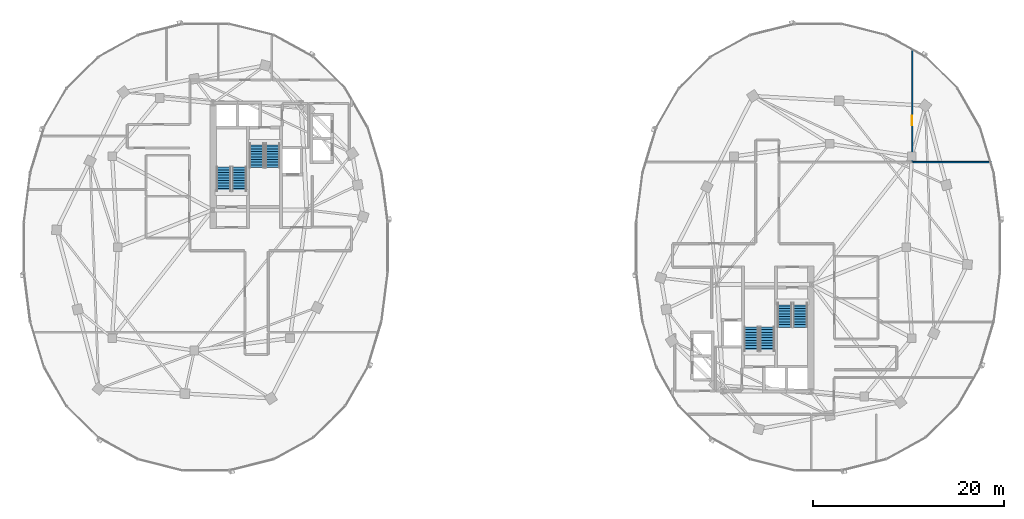
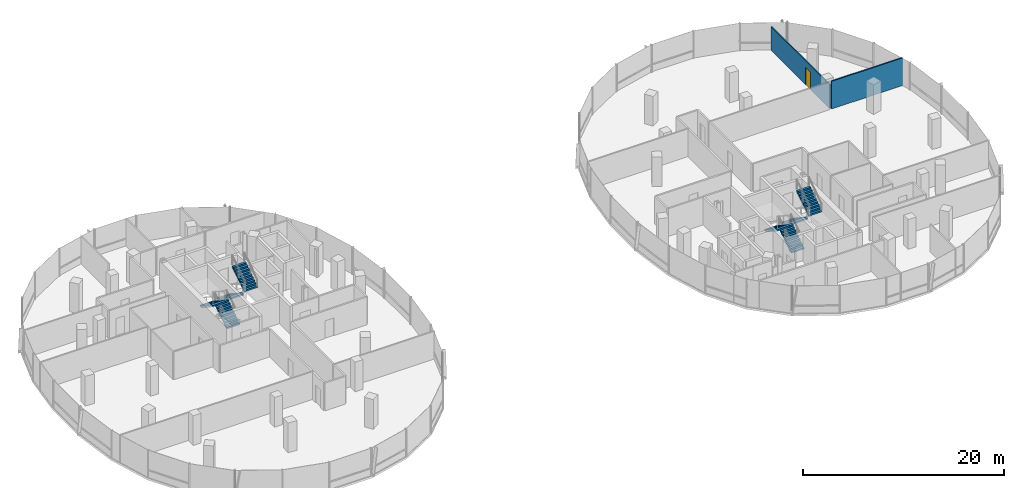
# One storey, part 15 of 22: 8 stair flights, 2 walls, 1 door, 1 opening, 4 elements without a shape of their own.
"""IFC4 building model written with IfcOpenShell, lengths in metres."""

from ifc_helpers import new_model, si_unit, direction, frame, frame_2d, origin, place, context, subcontext, project, spatial, polyline, rectangle, outline, extrude, material, layer, layer_set, type_object, element, fill, aggregate, save


model = new_model("IFC4")

# Units and contexts
model_context = context("Model", 3, precision=1e-05, world=origin(), true_north=direction((0.0, 1.0)))
body_context = subcontext(model_context, "Body", "Model", "MODEL_VIEW")
ifc_project = project(units=[si_unit("LENGTHUNIT", "METRE"), si_unit("AREAUNIT", "SQUARE_METRE"), si_unit("VOLUMEUNIT", "CUBIC_METRE"), si_unit("PLANEANGLEUNIT", "RADIAN"), si_unit("MASSUNIT", "GRAM", prefix="KILO"), si_unit("THERMODYNAMICTEMPERATUREUNIT", "KELVIN"), si_unit("POWERUNIT", "WATT")], contexts=[model_context])

# Site, building, storey
site_placement = place(None, origin())
site = spatial("IfcSite", under=ifc_project, at=site_placement, CompositionType="ELEMENT")
building_placement = place(site_placement, origin())
building = spatial("IfcBuilding", under=site, at=building_placement, Name="Cundina Bronze Exchange", CompositionType="ELEMENT")
storey_placement = place(building_placement, frame((0.0, 0.0, 165.60009765625)))
storey = spatial("IfcBuildingStorey", under=building, at=storey_placement, Name="L43", CompositionType="ELEMENT", Elevation=165.60009765625)

# Wall, opening, door
ifc_material_1 = material(Name="Gypsum Acoustic Partition EI60")
ifc_layer_1 = layer(ifc_material_1, 0.125, Name="Gypsum Acoustic Partition EI60")
ifc_layer_set_1 = layer_set([ifc_layer_1], Name="Gypsum Acoustic Partition EI60")
wall_type_1 = type_object("IfcWallType", Name="WL-OFF-125", PredefinedType="PARTITIONING", material=ifc_layer_set_1)
wall_1_placement = place(storey_placement, frame((41.830078125, 8.97998046875, 0.0), z_axis=(0.0, 0.0, 1.0), x_axis=(0.0, 1.0, 0.0)))
wall_1 = element("IfcWall", 1, at=wall_1_placement, inside=storey, type_object=wall_type_1, Name="L43 Interior Partition 081", PredefinedType="PARTITIONING", context=body_context, shape_type="SweptSolid", body=[
    extrude(rectangle(XDim=11.63818359375, YDim=0.125, at=frame_2d((5.819091796875, 0.0))), origin(), (0.0, 0.0, 1.0), 2.89697265625),
])
opening_placement = place(wall_1_placement, frame((3.759521484375, 0.0, 0.0)))
opening = element("IfcOpeningElement", 2, at=opening_placement, cuts=wall_1, Name="Opening DO-01", PredefinedType="OPENING", context=body_context, shape_type="SweptSolid", body=[
    extrude(rectangle(XDim=1.0, YDim=2.14990234375, at=frame_2d((0.5, 1.074951171875))), frame((0.0, 0.072509765625, 0.0), z_axis=(0.0, -1.0, 0.0), x_axis=(1.0, 0.0, 0.0)), (0.0, 0.0, 1.0), 0.14501953125),
])
ifc_material_2 = material(Name="Solid Andean Oak Timber Grade A", Category="wood")
door_type = type_object("IfcDoorType", Name="DR-OFF-1000", OperationType="NOTDEFINED", PredefinedType="DOOR", material=ifc_material_2)
door_placement = place(opening_placement, origin())
door = element("IfcDoor", 3, at=door_placement, inside=storey, type_object=door_type, Name="L43 Interior Door 081", OperationType="SINGLE_SWING_RIGHT", OverallHeight=2.14990234375, OverallWidth=1.0, PredefinedType="DOOR", context=body_context, shape_type="SweptSolid", body=[
    extrude(rectangle(XDim=1.0, YDim=2.14990234375, at=frame_2d((0.5, 1.074951171875))), frame((0.0, 0.02490234375, 0.0), z_axis=(0.0, -1.0, 0.0), x_axis=(1.0, 0.0, 0.0)), (0.0, 0.0, 1.0), 0.050048828125),
])
fill(opening, door)

# Wall
ifc_layer_2 = layer(ifc_material_1, 0.14990234375, Name="Gypsum Acoustic Partition EI60")
ifc_layer_set_2 = layer_set([ifc_layer_2], Name="Gypsum Acoustic Partition EI60")
wall_type_2 = type_object("IfcWallType", Name="WL-TEN-150", PredefinedType="PARTITIONING", material=ifc_layer_set_2)
wall_2_placement = place(storey_placement, frame((41.9150390625, 8.889892578125, 0.0), z_axis=(0.0, 0.0, 1.0), x_axis=(1.0, 0.0, 0.0)))
element("IfcWall", 4, at=wall_2_placement, inside=storey, type_object=wall_type_2, Name="L43 Interior Partition 059", PredefinedType="PARTITIONING", context=body_context, shape_type="SweptSolid", body=[
    extrude(rectangle(XDim=8.166748046875, YDim=0.14990234375, at=frame_2d((4.08349609375, 0.0))), origin(), (0.0, 0.0, 1.0), 3.35986328125),
])

# Stair, stair flights
ifc_material_3 = material(Name="Concrete C40/50", Category="concrete")
stair_type = type_object("IfcStairType", Name="STR-OFF-360", PredefinedType="HALF_TURN_STAIR", material=ifc_material_3)
stair_1_placement = place(storey_placement, origin())
stair_1 = element("IfcStair", 5, at=stair_1_placement, inside=storey, type_object=stair_type, Name="L43 Smokeproof Exit Stair W1", PredefinedType="HALF_TURN_STAIR")
stair_flight_type = type_object("IfcStairFlightType", Name="FLG-OFF-180", PredefinedType="STRAIGHT", material=ifc_material_3)
stair_flight_1_placement = place(storey_placement, frame((-28.489990234375, 5.85009765625, 0.0), z_axis=(0.0, 0.0, 1.0), x_axis=(0.0, 1.0, 0.0)))
stair_flight_1 = element("IfcStairFlight", 6, at=stair_flight_1_placement, type_object=stair_flight_type, Name="ST-W1 flight 1", NumberOfRisers=10, NumberOfTreads=9, PredefinedType="STRAIGHT", RiserHeight=0.18, TreadLength=0.28, context=body_context, shape_type="SweptSolid", body=[
    extrude(outline(polyline([(0.0, 0.0), (0.0, 0.179931640625), (0.280029296875, 0.179931640625), (0.280029296875, 0.360107421875), (0.56005859375, 0.360107421875), (0.56005859375, 0.5400390625), (0.840087890625, 0.5400390625), (0.840087890625, 0.719970703125), (1.1201171875, 0.719970703125), (1.1201171875, 0.89990234375), (1.39990234375, 0.89990234375), (1.39990234375, 1.080078125), (1.679931640625, 1.080078125), (1.679931640625, 1.260009765625), (1.9599609375, 1.260009765625), (1.9599609375, 1.43994140625), (2.239990234375, 1.43994140625), (2.239990234375, 1.6201171875), (2.52001953125, 1.6201171875), (2.52001953125, 1.800048828125), (2.52001953125, 1.44189453125), (0.277099609375, 0.0), (0.0, 0.0)])), frame((0.0, 0.75, 0.0), z_axis=(0.0, -1.0, 0.0), x_axis=(1.0, 0.0, 0.0)), (0.0, 0.0, 1.0), 1.5),
])
stair_flight_2_placement = place(storey_placement, frame((-30.14990234375, 8.3701171875, 1.7998046875), z_axis=(0.0, 0.0, 1.0), x_axis=(0.0, -1.0, 0.0)))
stair_flight_2 = element("IfcStairFlight", 7, at=stair_flight_2_placement, type_object=stair_flight_type, Name="ST-W1 flight 2", NumberOfRisers=10, NumberOfTreads=9, PredefinedType="STRAIGHT", RiserHeight=0.18, TreadLength=0.28, context=body_context, shape_type="SweptSolid", body=[
    extrude(outline(polyline([(0.0, 0.0), (0.0, 0.179931640625), (0.280029296875, 0.179931640625), (0.280029296875, 0.360107421875), (0.56005859375, 0.360107421875), (0.56005859375, 0.5400390625), (0.840087890625, 0.5400390625), (0.840087890625, 0.719970703125), (1.1201171875, 0.719970703125), (1.1201171875, 0.89990234375), (1.39990234375, 0.89990234375), (1.39990234375, 1.080078125), (1.679931640625, 1.080078125), (1.679931640625, 1.260009765625), (1.9599609375, 1.260009765625), (1.9599609375, 1.43994140625), (2.239990234375, 1.43994140625), (2.239990234375, 1.6201171875), (2.52001953125, 1.6201171875), (2.52001953125, 1.800048828125), (2.52001953125, 1.44189453125), (0.277099609375, 0.0), (0.0, 0.0)])), frame((0.0, 0.75, 0.0), z_axis=(0.0, -1.0, 0.0), x_axis=(1.0, 0.0, 0.0)), (0.0, 0.0, 1.0), 1.5),
])
aggregate(stair_1, [stair_flight_1, stair_flight_2])

stair_2_placement = place(storey_placement, origin())
stair_2 = element("IfcStair", 8, at=stair_2_placement, inside=storey, type_object=stair_type, Name="L43 Smokeproof Exit Stair W2", PredefinedType="HALF_TURN_STAIR")
stair_flight_3_placement = place(storey_placement, frame((-26.68994140625, 10.85009765625, 0.0), z_axis=(0.0, 0.0, 1.0), x_axis=(0.0, -1.0, 0.0)))
stair_flight_3 = element("IfcStairFlight", 9, at=stair_flight_3_placement, type_object=stair_flight_type, Name="ST-W2 flight 1", NumberOfRisers=10, NumberOfTreads=9, PredefinedType="STRAIGHT", RiserHeight=0.18, TreadLength=0.28, context=body_context, shape_type="SweptSolid", body=[
    extrude(outline(polyline([(0.0, 0.0), (0.0, 0.179931640625), (0.280029296875, 0.179931640625), (0.280029296875, 0.360107421875), (0.56005859375, 0.360107421875), (0.56005859375, 0.5400390625), (0.840087890625, 0.5400390625), (0.840087890625, 0.719970703125), (1.1201171875, 0.719970703125), (1.1201171875, 0.89990234375), (1.39990234375, 0.89990234375), (1.39990234375, 1.080078125), (1.679931640625, 1.080078125), (1.679931640625, 1.260009765625), (1.9599609375, 1.260009765625), (1.9599609375, 1.43994140625), (2.239990234375, 1.43994140625), (2.239990234375, 1.6201171875), (2.52001953125, 1.6201171875), (2.52001953125, 1.800048828125), (2.52001953125, 1.44189453125), (0.277099609375, 0.0), (0.0, 0.0)])), frame((0.0, 0.75, 0.0), z_axis=(0.0, -1.0, 0.0), x_axis=(1.0, 0.0, 0.0)), (0.0, 0.0, 1.0), 1.5),
])
stair_flight_4_placement = place(storey_placement, frame((-25.030029296875, 8.330078125, 1.7998046875), z_axis=(0.0, 0.0, 1.0), x_axis=(0.0, 1.0, 0.0)))
stair_flight_4 = element("IfcStairFlight", 10, at=stair_flight_4_placement, type_object=stair_flight_type, Name="ST-W2 flight 2", NumberOfRisers=10, NumberOfTreads=9, PredefinedType="STRAIGHT", RiserHeight=0.18, TreadLength=0.28, context=body_context, shape_type="SweptSolid", body=[
    extrude(outline(polyline([(0.0, 0.0), (0.0, 0.179931640625), (0.280029296875, 0.179931640625), (0.280029296875, 0.360107421875), (0.56005859375, 0.360107421875), (0.56005859375, 0.5400390625), (0.840087890625, 0.5400390625), (0.840087890625, 0.719970703125), (1.1201171875, 0.719970703125), (1.1201171875, 0.89990234375), (1.39990234375, 0.89990234375), (1.39990234375, 1.080078125), (1.679931640625, 1.080078125), (1.679931640625, 1.260009765625), (1.9599609375, 1.260009765625), (1.9599609375, 1.43994140625), (2.239990234375, 1.43994140625), (2.239990234375, 1.6201171875), (2.52001953125, 1.6201171875), (2.52001953125, 1.800048828125), (2.52001953125, 1.44189453125), (0.277099609375, 0.0), (0.0, 0.0)])), frame((0.0, 0.75, 0.0), z_axis=(0.0, -1.0, 0.0), x_axis=(1.0, 0.0, 0.0)), (0.0, 0.0, 1.0), 1.5),
])
aggregate(stair_2, [stair_flight_3, stair_flight_4])

stair_3_placement = place(storey_placement, origin())
stair_3 = element("IfcStair", 11, at=stair_3_placement, inside=storey, type_object=stair_type, Name="L43 Smokeproof Exit Stair E1", PredefinedType="HALF_TURN_STAIR")
stair_flight_5_placement = place(storey_placement, frame((28.489990234375, -5.85009765625, 0.0), z_axis=(0.0, 0.0, 1.0), x_axis=(0.0, -1.0, 0.0)))
stair_flight_5 = element("IfcStairFlight", 12, at=stair_flight_5_placement, type_object=stair_flight_type, Name="ST-E1 flight 1", NumberOfRisers=10, NumberOfTreads=9, PredefinedType="STRAIGHT", RiserHeight=0.18, TreadLength=0.28, context=body_context, shape_type="SweptSolid", body=[
    extrude(outline(polyline([(0.0, 0.0), (0.0, 0.179931640625), (0.280029296875, 0.179931640625), (0.280029296875, 0.360107421875), (0.56005859375, 0.360107421875), (0.56005859375, 0.5400390625), (0.840087890625, 0.5400390625), (0.840087890625, 0.719970703125), (1.1201171875, 0.719970703125), (1.1201171875, 0.89990234375), (1.39990234375, 0.89990234375), (1.39990234375, 1.080078125), (1.679931640625, 1.080078125), (1.679931640625, 1.260009765625), (1.9599609375, 1.260009765625), (1.9599609375, 1.43994140625), (2.239990234375, 1.43994140625), (2.239990234375, 1.6201171875), (2.52001953125, 1.6201171875), (2.52001953125, 1.800048828125), (2.52001953125, 1.44189453125), (0.277099609375, 0.0), (0.0, 0.0)])), frame((0.0, 0.75, 0.0), z_axis=(0.0, -1.0, 0.0), x_axis=(1.0, 0.0, 0.0)), (0.0, 0.0, 1.0), 1.5),
])
stair_flight_6_placement = place(storey_placement, frame((30.14990234375, -8.3701171875, 1.7998046875), z_axis=(0.0, 0.0, 1.0), x_axis=(0.0, 1.0, 0.0)))
stair_flight_6 = element("IfcStairFlight", 13, at=stair_flight_6_placement, type_object=stair_flight_type, Name="ST-E1 flight 2", NumberOfRisers=10, NumberOfTreads=9, PredefinedType="STRAIGHT", RiserHeight=0.18, TreadLength=0.28, context=body_context, shape_type="SweptSolid", body=[
    extrude(outline(polyline([(0.0, 0.0), (0.0, 0.179931640625), (0.280029296875, 0.179931640625), (0.280029296875, 0.360107421875), (0.56005859375, 0.360107421875), (0.56005859375, 0.5400390625), (0.840087890625, 0.5400390625), (0.840087890625, 0.719970703125), (1.1201171875, 0.719970703125), (1.1201171875, 0.89990234375), (1.39990234375, 0.89990234375), (1.39990234375, 1.080078125), (1.679931640625, 1.080078125), (1.679931640625, 1.260009765625), (1.9599609375, 1.260009765625), (1.9599609375, 1.43994140625), (2.239990234375, 1.43994140625), (2.239990234375, 1.6201171875), (2.52001953125, 1.6201171875), (2.52001953125, 1.800048828125), (2.52001953125, 1.44189453125), (0.277099609375, 0.0), (0.0, 0.0)])), frame((0.0, 0.75, 0.0), z_axis=(0.0, -1.0, 0.0), x_axis=(1.0, 0.0, 0.0)), (0.0, 0.0, 1.0), 1.5),
])
aggregate(stair_3, [stair_flight_5, stair_flight_6])

stair_4_placement = place(storey_placement, origin())
stair_4 = element("IfcStair", 14, at=stair_4_placement, inside=storey, type_object=stair_type, Name="L43 Smokeproof Exit Stair E2", PredefinedType="HALF_TURN_STAIR")
stair_flight_7_placement = place(storey_placement, frame((26.68994140625, -10.85009765625, 0.0), z_axis=(0.0, 0.0, 1.0), x_axis=(0.0, 1.0, 0.0)))
stair_flight_7 = element("IfcStairFlight", 15, at=stair_flight_7_placement, type_object=stair_flight_type, Name="ST-E2 flight 1", NumberOfRisers=10, NumberOfTreads=9, PredefinedType="STRAIGHT", RiserHeight=0.18, TreadLength=0.28, context=body_context, shape_type="SweptSolid", body=[
    extrude(outline(polyline([(0.0, 0.0), (0.0, 0.179931640625), (0.280029296875, 0.179931640625), (0.280029296875, 0.360107421875), (0.56005859375, 0.360107421875), (0.56005859375, 0.5400390625), (0.840087890625, 0.5400390625), (0.840087890625, 0.719970703125), (1.1201171875, 0.719970703125), (1.1201171875, 0.89990234375), (1.39990234375, 0.89990234375), (1.39990234375, 1.080078125), (1.679931640625, 1.080078125), (1.679931640625, 1.260009765625), (1.9599609375, 1.260009765625), (1.9599609375, 1.43994140625), (2.239990234375, 1.43994140625), (2.239990234375, 1.6201171875), (2.52001953125, 1.6201171875), (2.52001953125, 1.800048828125), (2.52001953125, 1.44189453125), (0.277099609375, 0.0), (0.0, 0.0)])), frame((0.0, 0.75, 0.0), z_axis=(0.0, -1.0, 0.0), x_axis=(1.0, 0.0, 0.0)), (0.0, 0.0, 1.0), 1.5),
])
stair_flight_8_placement = place(storey_placement, frame((25.030029296875, -8.330078125, 1.7998046875), z_axis=(0.0, 0.0, 1.0), x_axis=(0.0, -1.0, 0.0)))
stair_flight_8 = element("IfcStairFlight", 16, at=stair_flight_8_placement, type_object=stair_flight_type, Name="ST-E2 flight 2", NumberOfRisers=10, NumberOfTreads=9, PredefinedType="STRAIGHT", RiserHeight=0.18, TreadLength=0.28, context=body_context, shape_type="SweptSolid", body=[
    extrude(outline(polyline([(0.0, 0.0), (0.0, 0.179931640625), (0.280029296875, 0.179931640625), (0.280029296875, 0.360107421875), (0.56005859375, 0.360107421875), (0.56005859375, 0.5400390625), (0.840087890625, 0.5400390625), (0.840087890625, 0.719970703125), (1.1201171875, 0.719970703125), (1.1201171875, 0.89990234375), (1.39990234375, 0.89990234375), (1.39990234375, 1.080078125), (1.679931640625, 1.080078125), (1.679931640625, 1.260009765625), (1.9599609375, 1.260009765625), (1.9599609375, 1.43994140625), (2.239990234375, 1.43994140625), (2.239990234375, 1.6201171875), (2.52001953125, 1.6201171875), (2.52001953125, 1.800048828125), (2.52001953125, 1.44189453125), (0.277099609375, 0.0), (0.0, 0.0)])), frame((0.0, 0.75, 0.0), z_axis=(0.0, -1.0, 0.0), x_axis=(1.0, 0.0, 0.0)), (0.0, 0.0, 1.0), 1.5),
])
aggregate(stair_4, [stair_flight_7, stair_flight_8])

save(model, "model.ifc")
